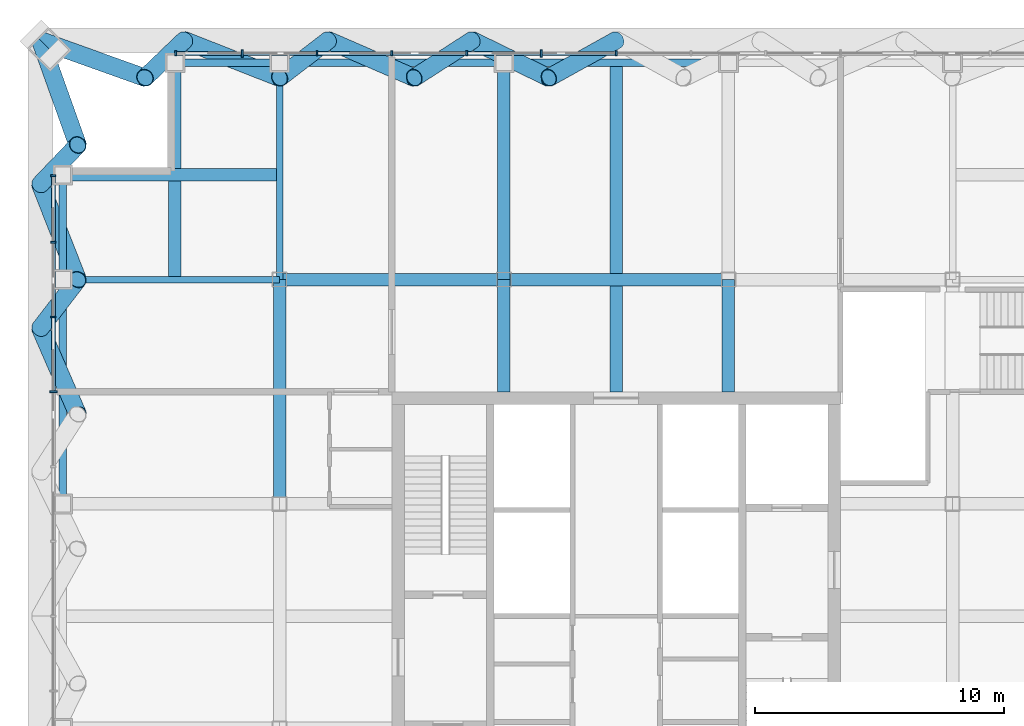
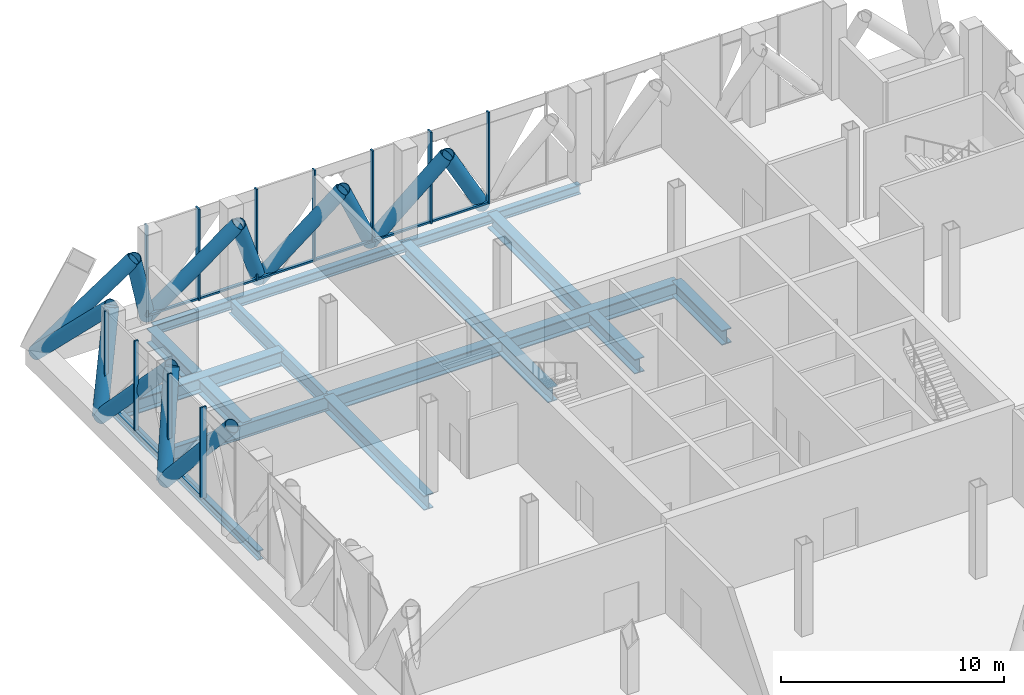
# One storey, part 10 of 27: 33 members, 16 beams, 2 elements without a shape of their own.
"""IFC4 building model written with IfcOpenShell, lengths in metres."""

from ifc_helpers import new_model, si_unit, direction, frame, origin, origin_2d, place, context, subcontext, project, spatial, rectangle, hollow_circle, i_section, extrude, material, layer, layer_set, material_profile, profile_set, type_object, element, aggregate, save


model = new_model("IFC4")

# Units and contexts
model_context = context("Model", 3, precision=1e-05, world=origin(), true_north=direction((0.0, 1.0)))
body_context = subcontext(model_context, "Body", "Model", "MODEL_VIEW")
ifc_project = project(units=[si_unit("LENGTHUNIT", "METRE"), si_unit("AREAUNIT", "SQUARE_METRE"), si_unit("VOLUMEUNIT", "CUBIC_METRE"), si_unit("PLANEANGLEUNIT", "RADIAN"), si_unit("MASSUNIT", "GRAM", prefix="KILO")], contexts=[model_context])

# Site, building, storey
site_placement = place(None, origin())
site = spatial("IfcSite", under=ifc_project, at=site_placement, CompositionType="ELEMENT")
building_placement = place(site_placement, origin())
building = spatial("IfcBuilding", under=site, at=building_placement, Name="Malebo Sky Hospital", CompositionType="ELEMENT")
storey_placement = place(building_placement, frame((0.0, 0.0, 245.0)))
storey = spatial("IfcBuildingStorey", under=building, at=storey_placement, Name="L59", CompositionType="ELEMENT", Elevation=245.0)

# Curtain wall, members
ifc_material_1 = material(Name="Anodised aluminium, natural silver", Category="aluminium")
ifc_layer = layer(ifc_material_1, 0.25)
ifc_layer_set = layer_set([ifc_layer], Name="PLANT LOUVRE SCREEN")
curtain_wall_type = type_object("IfcCurtainWallType", Name="PLANT LOUVRE SCREEN", PredefinedType="NOTDEFINED", material=ifc_layer_set)
curtain_wall_1_placement = place(storey_placement, origin())
curtain_wall_1 = element("IfcCurtainWall", 1, at=curtain_wall_1_placement, inside=storey, type_object=curtain_wall_type, Name="PLANT curtain wall N", PredefinedType="NOTDEFINED")
ifc_material_profile_1 = material_profile(ifc_material_1, rectangle(XDim=0.14990234375, YDim=0.10009765625, at=origin_2d()), Name="ALUMINIUM TRANSOM 150x100")
ifc_profile_set_1 = profile_set([ifc_material_profile_1], Name="Anodised aluminium, natural silver")
member_type_1 = type_object("IfcMemberType", Name="ALUMINIUM TRANSOM 150x100", PredefinedType="USERDEFINED", material=ifc_profile_set_1)
member_1_placement = place(storey_placement, frame((42.375, 84.574951171875, 0.050048828125), z_axis=(1.0, 0.0, 0.0), x_axis=(0.0, 1.0, 0.0)))
member_1 = element("IfcMember", 2, at=member_1_placement, type_object=member_type_1, Name="Transom 1", ObjectType="TRANSOM", PredefinedType="USERDEFINED", context=body_context, shape_type="SweptSolid", body=[
    extrude(rectangle(XDim=0.14990234375, YDim=0.10009765625, at=origin_2d()), origin(), (0.0, 0.0, 1.0), 2.58740234375),
])
member_2_placement = place(storey_placement, frame((45.03759765625, 84.574951171875, 0.050048828125), z_axis=(1.0, 0.0, 0.0), x_axis=(0.0, 1.0, 0.0)))
member_2 = element("IfcMember", 3, at=member_2_placement, type_object=member_type_1, Name="Transom 2", ObjectType="TRANSOM", PredefinedType="USERDEFINED", context=body_context, shape_type="SweptSolid", body=[
    extrude(rectangle(XDim=0.14990234375, YDim=0.10009765625, at=origin_2d()), origin(), (0.0, 0.0, 1.0), 2.9248046875),
])
member_3_placement = place(storey_placement, frame((48.03759765625, 84.574951171875, 0.050048828125), z_axis=(1.0, 0.0, 0.0), x_axis=(0.0, 1.0, 0.0)))
member_3 = element("IfcMember", 4, at=member_3_placement, type_object=member_type_1, Name="Transom 3", ObjectType="TRANSOM", PredefinedType="USERDEFINED", context=body_context, shape_type="SweptSolid", body=[
    extrude(rectangle(XDim=0.14990234375, YDim=0.10009765625, at=origin_2d()), origin(), (0.0, 0.0, 1.0), 2.9248046875),
])
member_4_placement = place(storey_placement, frame((51.03759765625, 84.574951171875, 0.050048828125), z_axis=(1.0, 0.0, 0.0), x_axis=(0.0, 1.0, 0.0)))
member_4 = element("IfcMember", 5, at=member_4_placement, type_object=member_type_1, Name="Transom 4", ObjectType="TRANSOM", PredefinedType="USERDEFINED", context=body_context, shape_type="SweptSolid", body=[
    extrude(rectangle(XDim=0.14990234375, YDim=0.10009765625, at=origin_2d()), origin(), (0.0, 0.0, 1.0), 2.9248046875),
])
member_5_placement = place(storey_placement, frame((54.03759765625, 84.574951171875, 0.050048828125), z_axis=(1.0, 0.0, 0.0), x_axis=(0.0, 1.0, 0.0)))
member_5 = element("IfcMember", 6, at=member_5_placement, type_object=member_type_1, Name="Transom 5", ObjectType="TRANSOM", PredefinedType="USERDEFINED", context=body_context, shape_type="SweptSolid", body=[
    extrude(rectangle(XDim=0.14990234375, YDim=0.10009765625, at=origin_2d()), origin(), (0.0, 0.0, 1.0), 2.9248046875),
])
member_6_placement = place(storey_placement, frame((57.03759765625, 84.574951171875, 0.050048828125), z_axis=(1.0, 0.0, 0.0), x_axis=(0.0, 1.0, 0.0)))
member_6 = element("IfcMember", 7, at=member_6_placement, type_object=member_type_1, Name="Transom 6", ObjectType="TRANSOM", PredefinedType="USERDEFINED", context=body_context, shape_type="SweptSolid", body=[
    extrude(rectangle(XDim=0.14990234375, YDim=0.10009765625, at=origin_2d()), origin(), (0.0, 0.0, 1.0), 2.9248046875),
])

curtain_wall_2_placement = place(storey_placement, origin())
curtain_wall_2 = element("IfcCurtainWall", 8, at=curtain_wall_2_placement, inside=storey, type_object=curtain_wall_type, Name="PLANT curtain wall W", PredefinedType="NOTDEFINED")
member_7_placement = place(storey_placement, frame((37.425048828125, 71.03759765625, 0.050048828125), z_axis=(0.0, 1.0, 0.0), x_axis=(-1.0, 0.0, 0.0)))
member_7 = element("IfcMember", 9, at=member_7_placement, type_object=member_type_1, Name="Transom 10", ObjectType="TRANSOM", PredefinedType="USERDEFINED", context=body_context, shape_type="SweptSolid", body=[
    extrude(rectangle(XDim=0.14990234375, YDim=0.10009765625, at=origin_2d()), origin(), (0.0, 0.0, 1.0), 2.9248046875),
])
member_8_placement = place(storey_placement, frame((37.425048828125, 74.03759765625, 0.050048828125), z_axis=(0.0, 1.0, 0.0), x_axis=(-1.0, 0.0, 0.0)))
member_8 = element("IfcMember", 10, at=member_8_placement, type_object=member_type_1, Name="Transom 11", ObjectType="TRANSOM", PredefinedType="USERDEFINED", context=body_context, shape_type="SweptSolid", body=[
    extrude(rectangle(XDim=0.14990234375, YDim=0.10009765625, at=origin_2d()), origin(), (0.0, 0.0, 1.0), 2.9248046875),
])
member_9_placement = place(storey_placement, frame((37.425048828125, 77.03759765625, 0.050048828125), z_axis=(0.0, 1.0, 0.0), x_axis=(-1.0, 0.0, 0.0)))
member_9 = element("IfcMember", 11, at=member_9_placement, type_object=member_type_1, Name="Transom 12", ObjectType="TRANSOM", PredefinedType="USERDEFINED", context=body_context, shape_type="SweptSolid", body=[
    extrude(rectangle(XDim=0.14990234375, YDim=0.10009765625, at=origin_2d()), origin(), (0.0, 0.0, 1.0), 2.58740234375),
])

# Members
ifc_material_2 = material(Name="Steel S460", Category="steel")
ifc_material_profile_2 = material_profile(ifc_material_2, hollow_circle(Radius=0.35546875, WallThickness=0.02490234375, at=origin_2d()), Name="CHS 711x25")
ifc_profile_set_2 = profile_set([ifc_material_profile_2], Name="Steel S460")
member_type_2 = type_object("IfcMemberType", Name="BELT TRUSS DIAGONAL CHS 711x25", PredefinedType="BRACE", material=ifc_profile_set_2)
member_10_placement = place(storey_placement, frame((60.0, 85.10009765625, -0.39990234375), z_axis=(-0.490977647365, -0.272770292559, 0.827367703797), x_axis=(0.485649642493, -0.87415354758, 0.0)))
element("IfcMember", 12, at=member_10_placement, inside=storey, type_object=member_type_2, Name="Belt truss diagonal N5.1 L59", PredefinedType="BRACE", context=body_context, shape_type="SweptSolid", body=[
    extrude(hollow_circle(Radius=0.35546875, WallThickness=0.02490234375, at=origin_2d()), origin(), (0.0, 0.0, 1.0), 5.4990234375),
])
member_11_placement = place(storey_placement, frame((57.300048828125, 83.60009765625, 4.14990234375), z_axis=(-0.540163447452, 0.263498548721, -0.799244621414), x_axis=(-0.438429255686, -0.898765702371, 0.0)))
element("IfcMember", 13, at=member_11_placement, inside=storey, type_object=member_type_2, Name="Belt truss diagonal N5.2 L59", PredefinedType="BRACE", context=body_context, shape_type="SweptSolid", body=[
    extrude(hollow_circle(Radius=0.35546875, WallThickness=0.02490234375, at=origin_2d()), origin(), (0.0, 0.0, 1.0), 5.692626953125),
])
member_12_placement = place(storey_placement, frame((54.22509765625, 85.10009765625, -0.39990234375), z_axis=(-0.436643839632, -0.281682040183, 0.854398844539), x_axis=(0.542094714499, -0.840317392723, 0.0)))
element("IfcMember", 14, at=member_12_placement, inside=storey, type_object=member_type_2, Name="Belt truss diagonal N6.1 L59", PredefinedType="BRACE", context=body_context, shape_type="SweptSolid", body=[
    extrude(hollow_circle(Radius=0.35546875, WallThickness=0.02490234375, at=origin_2d()), origin(), (0.0, 0.0, 1.0), 5.3251953125),
])
member_13_placement = place(storey_placement, frame((51.89990234375, 83.60009765625, 4.14990234375), z_axis=(-0.584377622099, 0.254080823026, -0.770678746405), x_axis=(-0.398730857498, -0.917067992724, 0.0)))
element("IfcMember", 15, at=member_13_placement, inside=storey, type_object=member_type_2, Name="Belt truss diagonal N6.2 L59", PredefinedType="BRACE", context=body_context, shape_type="SweptSolid", body=[
    extrude(hollow_circle(Radius=0.35546875, WallThickness=0.02490234375, at=origin_2d()), origin(), (0.0, 0.0, 1.0), 5.903564453125),
])
member_14_placement = place(storey_placement, frame((48.449951171875, 85.10009765625, -0.39990234375), z_axis=(-0.376996423186, -0.290004510336, 0.879642587015), x_axis=(0.609720352615, -0.792616610731, 0.0)))
element("IfcMember", 16, at=member_14_placement, inside=storey, type_object=member_type_2, Name="Belt truss diagonal N7.1 L59", PredefinedType="BRACE", context=body_context, shape_type="SweptSolid", body=[
    extrude(hollow_circle(Radius=0.35546875, WallThickness=0.02490234375, at=origin_2d()), origin(), (0.0, 0.0, 1.0), 5.17236328125),
])
member_15_placement = place(storey_placement, frame((46.5, 83.60009765625, 4.14990234375), z_axis=(-0.623938635295, 0.244684941294, -0.742179128573), x_axis=(-0.365091568196, -0.930971614408, 0.0)))
element("IfcMember", 17, at=member_15_placement, inside=storey, type_object=member_type_2, Name="Belt truss diagonal N7.2 L59", PredefinedType="BRACE", context=body_context, shape_type="SweptSolid", body=[
    extrude(hollow_circle(Radius=0.35546875, WallThickness=0.02490234375, at=origin_2d()), origin(), (0.0, 0.0, 1.0), 6.13037109375),
])
member_16_placement = place(storey_placement, frame((42.675048828125, 85.10009765625, -0.39990234375), z_axis=(-0.312308438875, -0.297445829863, 0.90221362066), x_axis=(0.689666384023, -0.724127253146, 0.0)))
element("IfcMember", 18, at=member_16_placement, inside=storey, type_object=member_type_2, Name="Belt truss diagonal N8.1 L59", PredefinedType="BRACE", context=body_context, shape_type="SweptSolid", body=[
    extrude(hollow_circle(Radius=0.35546875, WallThickness=0.02490234375, at=origin_2d()), origin(), (0.0, 0.0, 1.0), 5.04296875),
])
for number, where, z_axis, x_axis, name in (
    (19, (41.10009765625, 83.60009765625, 4.14990234375), (-0.659245717391, 0.235433950689, -0.714118994961), (-0.336322526194, -0.941746865338, 0.0), "Belt truss diagonal N8.2 L59"),
    (20, (36.89990234375, 85.10009765625, -0.39990234375), (0.235433950689, -0.659245717391, 0.714118994961), (0.941746865338, 0.336322526194, 0.0), "Belt truss diagonal W1.1 L59"),
):
    element("IfcMember", number, at=place(storey_placement, frame(where, z_axis=z_axis, x_axis=x_axis)), inside=storey, type_object=member_type_2, Name=name, PredefinedType="BRACE", context=body_context, shape_type="SweptSolid", body=[
        extrude(hollow_circle(Radius=0.35546875, WallThickness=0.02490234375, at=origin_2d()), origin(), (0.0, 0.0, 1.0), 6.37109375),
    ])
member_17_placement = place(storey_placement, frame((38.39990234375, 80.89990234375, 4.14990234375), z_axis=(-0.297445829863, -0.312308438875, -0.90221362066), x_axis=(0.724127253146, -0.689666384023, 0.0)))
element("IfcMember", 21, at=member_17_placement, inside=storey, type_object=member_type_2, Name="Belt truss diagonal W1.2 L59", PredefinedType="BRACE", context=body_context, shape_type="SweptSolid", body=[
    extrude(hollow_circle(Radius=0.35546875, WallThickness=0.02490234375, at=origin_2d()), origin(), (0.0, 0.0, 1.0), 5.04296875),
])
member_18_placement = place(storey_placement, frame((36.89990234375, 79.324951171875, -0.39990234375), z_axis=(0.244684941294, -0.623938635295, 0.742179128573), x_axis=(0.930971614408, 0.365091568196, 0.0)))
element("IfcMember", 22, at=member_18_placement, inside=storey, type_object=member_type_2, Name="Belt truss diagonal W2.1 L59", PredefinedType="BRACE", context=body_context, shape_type="SweptSolid", body=[
    extrude(hollow_circle(Radius=0.35546875, WallThickness=0.02490234375, at=origin_2d()), origin(), (0.0, 0.0, 1.0), 6.13037109375),
])
member_19_placement = place(storey_placement, frame((38.39990234375, 75.5, 4.14990234375), z_axis=(-0.290004510336, -0.376996423186, -0.879642587015), x_axis=(0.792616610731, -0.609720352615, 0.0)))
element("IfcMember", 23, at=member_19_placement, inside=storey, type_object=member_type_2, Name="Belt truss diagonal W2.2 L59", PredefinedType="BRACE", context=body_context, shape_type="SweptSolid", body=[
    extrude(hollow_circle(Radius=0.35546875, WallThickness=0.02490234375, at=origin_2d()), origin(), (0.0, 0.0, 1.0), 5.17236328125),
])
member_20_placement = place(storey_placement, frame((36.89990234375, 73.550048828125, -0.39990234375), z_axis=(0.254080823026, -0.584377622099, 0.770678746405), x_axis=(0.917067992724, 0.398730857498, 0.0)))
element("IfcMember", 24, at=member_20_placement, inside=storey, type_object=member_type_2, Name="Belt truss diagonal W3.1 L59", PredefinedType="BRACE", context=body_context, shape_type="SweptSolid", body=[
    extrude(hollow_circle(Radius=0.35546875, WallThickness=0.02490234375, at=origin_2d()), origin(), (0.0, 0.0, 1.0), 5.903564453125),
])

# Member
ifc_material_profile_3 = material_profile(ifc_material_1, rectangle(XDim=0.074951171875, YDim=0.199951171875, at=origin_2d()), Name="CW5 ALUMINIUM FIN MULLION 75x200")
ifc_profile_set_3 = profile_set([ifc_material_profile_3], Name="Anodised aluminium, natural silver")
member_type_3 = type_object("IfcMemberType", Name="CW5 ALUMINIUM FIN MULLION 75x200", PredefinedType="MULLION", material=ifc_profile_set_3)
member_21_placement = place(storey_placement, frame((42.33740234375, 84.574951171875, 0.0), z_axis=(0.0, 0.0, 1.0), x_axis=(1.0, 0.0, 0.0)))
member_21 = element("IfcMember", 25, at=member_21_placement, type_object=member_type_3, Name="Fin mullion 1", PredefinedType="MULLION", context=body_context, shape_type="SweptSolid", body=[
    extrude(rectangle(XDim=0.074951171875, YDim=0.199951171875, at=origin_2d()), origin(), (0.0, 0.0, 1.0), 5.0),
])

member_22_placement = place(storey_placement, frame((48.0, 84.574951171875, 0.0), z_axis=(0.0, 0.0, 1.0), x_axis=(1.0, 0.0, 0.0)))
member_22 = element("IfcMember", 26, at=member_22_placement, type_object=member_type_3, Name="Fin mullion 3", PredefinedType="MULLION", context=body_context, shape_type="SweptSolid", body=[
    extrude(rectangle(XDim=0.074951171875, YDim=0.199951171875, at=origin_2d()), origin(), (0.0, 0.0, 1.0), 5.0),
])

member_23_placement = place(storey_placement, frame((51.0, 84.574951171875, 0.0), z_axis=(0.0, 0.0, 1.0), x_axis=(1.0, 0.0, 0.0)))
member_23 = element("IfcMember", 27, at=member_23_placement, type_object=member_type_3, Name="Fin mullion 4", PredefinedType="MULLION", context=body_context, shape_type="SweptSolid", body=[
    extrude(rectangle(XDim=0.074951171875, YDim=0.199951171875, at=origin_2d()), origin(), (0.0, 0.0, 1.0), 5.0),
])

member_24_placement = place(storey_placement, frame((54.0, 84.574951171875, 0.0), z_axis=(0.0, 0.0, 1.0), x_axis=(1.0, 0.0, 0.0)))
member_24 = element("IfcMember", 28, at=member_24_placement, type_object=member_type_3, Name="Fin mullion 5", PredefinedType="MULLION", context=body_context, shape_type="SweptSolid", body=[
    extrude(rectangle(XDim=0.074951171875, YDim=0.199951171875, at=origin_2d()), origin(), (0.0, 0.0, 1.0), 5.0),
])

member_25_placement = place(storey_placement, frame((60.0, 84.574951171875, 0.0), z_axis=(0.0, 0.0, 1.0), x_axis=(1.0, 0.0, 0.0)))
member_25 = element("IfcMember", 29, at=member_25_placement, type_object=member_type_3, Name="Fin mullion 7", PredefinedType="MULLION", context=body_context, shape_type="SweptSolid", body=[
    extrude(rectangle(XDim=0.074951171875, YDim=0.199951171875, at=origin_2d()), origin(), (0.0, 0.0, 1.0), 5.0),
])

member_26_placement = place(storey_placement, frame((37.425048828125, 74.0, 0.0), z_axis=(0.0, 0.0, 1.0), x_axis=(0.0, 1.0, 0.0)))
member_26 = element("IfcMember", 30, at=member_26_placement, type_object=member_type_3, Name="Fin mullion 11", PredefinedType="MULLION", context=body_context, shape_type="SweptSolid", body=[
    extrude(rectangle(XDim=0.074951171875, YDim=0.199951171875, at=origin_2d()), origin(), (0.0, 0.0, 1.0), 5.0),
])

member_27_placement = place(storey_placement, frame((37.425048828125, 77.0, 0.0), z_axis=(0.0, 0.0, 1.0), x_axis=(0.0, 1.0, 0.0)))
member_27 = element("IfcMember", 31, at=member_27_placement, type_object=member_type_3, Name="Fin mullion 12", PredefinedType="MULLION", context=body_context, shape_type="SweptSolid", body=[
    extrude(rectangle(XDim=0.074951171875, YDim=0.199951171875, at=origin_2d()), origin(), (0.0, 0.0, 1.0), 5.0),
])

member_28_placement = place(storey_placement, frame((37.425048828125, 79.66259765625, 0.0), z_axis=(0.0, 0.0, 1.0), x_axis=(0.0, 1.0, 0.0)))
member_28 = element("IfcMember", 32, at=member_28_placement, type_object=member_type_3, Name="Fin mullion 13", PredefinedType="MULLION", context=body_context, shape_type="SweptSolid", body=[
    extrude(rectangle(XDim=0.074951171875, YDim=0.199951171875, at=origin_2d()), origin(), (0.0, 0.0, 1.0), 5.0),
])

ifc_material_profile_4 = material_profile(ifc_material_1, rectangle(XDim=0.074951171875, YDim=0.300048828125, at=origin_2d()), Name="CW5 ALUMINIUM FIN MULLION 75x300")
ifc_profile_set_4 = profile_set([ifc_material_profile_4], Name="Anodised aluminium, natural silver")
member_type_4 = type_object("IfcMemberType", Name="CW5 ALUMINIUM FIN MULLION 75x300", PredefinedType="MULLION", material=ifc_profile_set_4)
member_29_placement = place(storey_placement, frame((45.0, 84.574951171875, 0.0), z_axis=(0.0, 0.0, 1.0), x_axis=(1.0, 0.0, 0.0)))
member_29 = element("IfcMember", 33, at=member_29_placement, type_object=member_type_4, Name="Fin mullion 2", PredefinedType="MULLION", context=body_context, shape_type="SweptSolid", body=[
    extrude(rectangle(XDim=0.074951171875, YDim=0.300048828125, at=origin_2d()), origin(), (0.0, 0.0, 1.0), 5.0),
])

member_30_placement = place(storey_placement, frame((57.0, 84.574951171875, 0.0), z_axis=(0.0, 0.0, 1.0), x_axis=(1.0, 0.0, 0.0)))
member_30 = element("IfcMember", 34, at=member_30_placement, type_object=member_type_4, Name="Fin mullion 6", PredefinedType="MULLION", context=body_context, shape_type="SweptSolid", body=[
    extrude(rectangle(XDim=0.074951171875, YDim=0.300048828125, at=origin_2d()), origin(), (0.0, 0.0, 1.0), 5.0),
])

aggregate(curtain_wall_1, [member_21, member_29, member_22, member_23, member_24, member_30, member_25, member_1, member_2, member_3, member_4, member_5, member_6])

member_31_placement = place(storey_placement, frame((37.425048828125, 71.0, 0.0), z_axis=(0.0, 0.0, 1.0), x_axis=(0.0, 1.0, 0.0)))
member_31 = element("IfcMember", 35, at=member_31_placement, type_object=member_type_4, Name="Fin mullion 10", PredefinedType="MULLION", context=body_context, shape_type="SweptSolid", body=[
    extrude(rectangle(XDim=0.074951171875, YDim=0.300048828125, at=origin_2d()), origin(), (0.0, 0.0, 1.0), 5.0),
])

aggregate(curtain_wall_2, [member_31, member_26, member_27, member_28, member_7, member_8, member_9])

# Beams
ifc_material_3 = material(Name="Steel S355", Category="steel")
ifc_material_profile_5 = material_profile(ifc_material_3, i_section(OverallWidth=0.305908203125, OverallDepth=0.52392578125, WebThickness=0.02099609375, FlangeThickness=0.0400390625, FilletRadius=0.027099609375, at=origin_2d()), Name="HEM 500")
ifc_profile_set_5 = profile_set([ifc_material_profile_5], Name="Steel S355")
beam_type_1 = type_object("IfcBeamType", Name="EDGE BEAM HEM 500", PredefinedType="BEAM", material=ifc_profile_set_5)
beam_1_placement = place(storey_placement, frame((37.800048828125, 66.5, -0.511962890625), z_axis=(0.0, 1.0, 0.0), x_axis=(-1.0, 0.0, 0.0)))
element("IfcBeam", 36, at=beam_1_placement, inside=storey, type_object=beam_type_1, Name="Beam 003 L59", PredefinedType="BEAM", context=body_context, shape_type="SweptSolid", body=[
    extrude(i_section(OverallWidth=0.305908203125, OverallDepth=0.52392578125, WebThickness=0.02099609375, FlangeThickness=0.0400390625, FilletRadius=0.027099609375, at=origin_2d()), origin(), (0.0, 0.0, 1.0), 9.0),
])
for number, where, z_axis, x_axis, name in (
    (37, (37.800048828125, 75.5, -0.511962890625), (0.0, 1.0, 0.0), (-1.0, 0.0, 0.0), "Beam 004 L59"),
    (38, (42.449951171875, 84.199951171875, -0.511962890625), (1.0, 0.0, 0.0), (0.0, 1.0, 0.0), "Beam 063 L59"),
):
    element("IfcBeam", number, at=place(storey_placement, frame(where, z_axis=z_axis, x_axis=x_axis)), inside=storey, type_object=beam_type_1, Name=name, PredefinedType="BEAM", context=body_context, shape_type="SweptSolid", body=[
        extrude(i_section(OverallWidth=0.305908203125, OverallDepth=0.52392578125, WebThickness=0.02099609375, FlangeThickness=0.0400390625, FilletRadius=0.027099609375, at=origin_2d()), origin(), (0.0, 0.0, 1.0), 4.050048828125),
    ])
for number, where, z_axis, x_axis, name in (
    (39, (46.5, 84.199951171875, -0.511962890625), (1.0, 0.0, 0.0), (0.0, 1.0, 0.0), "Beam 064 L59"),
    (40, (55.5, 84.199951171875, -0.511962890625), (1.0, 0.0, 0.0), (0.0, 1.0, 0.0), "Beam 065 L59"),
):
    element("IfcBeam", number, at=place(storey_placement, frame(where, z_axis=z_axis, x_axis=x_axis)), inside=storey, type_object=beam_type_1, Name=name, PredefinedType="BEAM", context=body_context, shape_type="SweptSolid", body=[
        extrude(i_section(OverallWidth=0.305908203125, OverallDepth=0.52392578125, WebThickness=0.02099609375, FlangeThickness=0.0400390625, FilletRadius=0.027099609375, at=origin_2d()), origin(), (0.0, 0.0, 1.0), 9.0),
    ])
ifc_material_profile_6 = material_profile(ifc_material_3, i_section(OverallWidth=0.5, OverallDepth=0.800048828125, WebThickness=0.030029296875, FlangeThickness=0.050048828125, at=origin_2d()), Name="PG 800x500x30x50")
ifc_profile_set_6 = profile_set([ifc_material_profile_6], Name="Steel S355")
beam_type_2 = type_object("IfcBeamType", Name="FLOOR BEAM PG 800x500x30x50", PredefinedType="BEAM", material=ifc_profile_set_6)
beam_2_placement = place(storey_placement, frame((42.300048828125, 75.5, -0.64990234375), z_axis=(0.0, 1.0, 0.0), x_axis=(-1.0, 0.0, 0.0)))
element("IfcBeam", 41, at=beam_2_placement, inside=storey, type_object=beam_type_2, Name="Beam 006 L59", PredefinedType="BEAM", context=body_context, shape_type="SweptSolid", body=[
    extrude(i_section(OverallWidth=0.5, OverallDepth=0.800048828125, WebThickness=0.030029296875, FlangeThickness=0.050048828125, at=origin_2d()), origin(), (0.0, 0.0, 1.0), 8.550048828125),
])
beam_3_placement = place(storey_placement, frame((46.5, 66.5, -0.64990234375), z_axis=(0.0, 1.0, 0.0), x_axis=(-1.0, 0.0, 0.0)))
element("IfcBeam", 42, at=beam_3_placement, inside=storey, type_object=beam_type_2, Name="Beam 010 L59", PredefinedType="BEAM", context=body_context, shape_type="SweptSolid", body=[
    extrude(i_section(OverallWidth=0.5, OverallDepth=0.800048828125, WebThickness=0.030029296875, FlangeThickness=0.050048828125, at=origin_2d()), origin(), (0.0, 0.0, 1.0), 9.0),
])
beam_4_placement = place(storey_placement, frame((55.5, 71.0, -0.64990234375), z_axis=(0.0, 1.0, 0.0), x_axis=(-1.0, 0.0, 0.0)))
element("IfcBeam", 43, at=beam_4_placement, inside=storey, type_object=beam_type_2, Name="Beam 014 L59", PredefinedType="BEAM", context=body_context, shape_type="SweptSolid", body=[
    extrude(i_section(OverallWidth=0.5, OverallDepth=0.800048828125, WebThickness=0.030029296875, FlangeThickness=0.050048828125, at=origin_2d()), origin(), (0.0, 0.0, 1.0), 4.5),
])
beam_5_placement = place(storey_placement, frame((55.5, 75.5, -0.64990234375), z_axis=(0.0, 1.0, 0.0), x_axis=(-1.0, 0.0, 0.0)))
element("IfcBeam", 44, at=beam_5_placement, inside=storey, type_object=beam_type_2, Name="Beam 015 L59", PredefinedType="BEAM", context=body_context, shape_type="SweptSolid", body=[
    extrude(i_section(OverallWidth=0.5, OverallDepth=0.800048828125, WebThickness=0.030029296875, FlangeThickness=0.050048828125, at=origin_2d()), origin(), (0.0, 0.0, 1.0), 8.699951171875),
])
beam_6_placement = place(storey_placement, frame((60.0, 71.0, -0.64990234375), z_axis=(0.0, 1.0, 0.0), x_axis=(-1.0, 0.0, 0.0)))
element("IfcBeam", 45, at=beam_6_placement, inside=storey, type_object=beam_type_2, Name="Beam 017 L59", PredefinedType="BEAM", context=body_context, shape_type="SweptSolid", body=[
    extrude(i_section(OverallWidth=0.5, OverallDepth=0.800048828125, WebThickness=0.030029296875, FlangeThickness=0.050048828125, at=origin_2d()), origin(), (0.0, 0.0, 1.0), 13.199951171875),
])
beam_7_placement = place(storey_placement, frame((64.5, 71.0, -0.64990234375), z_axis=(0.0, 1.0, 0.0), x_axis=(-1.0, 0.0, 0.0)))
element("IfcBeam", 46, at=beam_7_placement, inside=storey, type_object=beam_type_2, Name="Beam 020 L59", PredefinedType="BEAM", context=body_context, shape_type="SweptSolid", body=[
    extrude(i_section(OverallWidth=0.5, OverallDepth=0.800048828125, WebThickness=0.030029296875, FlangeThickness=0.050048828125, at=origin_2d()), origin(), (0.0, 0.0, 1.0), 4.5),
])
beam_8_placement = place(storey_placement, frame((46.5, 75.5, -0.64990234375), z_axis=(1.0, 0.0, 0.0), x_axis=(0.0, 1.0, 0.0)))
element("IfcBeam", 47, at=beam_8_placement, inside=storey, type_object=beam_type_2, Name="Beam 057 L59", PredefinedType="BEAM", context=body_context, shape_type="SweptSolid", body=[
    extrude(i_section(OverallWidth=0.5, OverallDepth=0.800048828125, WebThickness=0.030029296875, FlangeThickness=0.050048828125, at=origin_2d()), origin(), (0.0, 0.0, 1.0), 9.0),
])
beam_9_placement = place(storey_placement, frame((37.949951171875, 79.699951171875, -0.64990234375), z_axis=(1.0, 0.0, 0.0), x_axis=(0.0, 1.0, 0.0)))
element("IfcBeam", 48, at=beam_9_placement, inside=storey, type_object=beam_type_2, Name="Beam 061 L59", PredefinedType="BEAM", context=body_context, shape_type="SweptSolid", body=[
    extrude(i_section(OverallWidth=0.5, OverallDepth=0.800048828125, WebThickness=0.030029296875, FlangeThickness=0.050048828125, at=origin_2d()), origin(), (0.0, 0.0, 1.0), 8.550048828125),
])
ifc_material_profile_7 = material_profile(ifc_material_3, i_section(OverallWidth=0.26708984375, OverallDepth=0.761962890625, WebThickness=0.014404296875, FlangeThickness=0.021484375, FilletRadius=0.01708984375, at=origin_2d()), Name="IPE 750x173")
ifc_profile_set_7 = profile_set([ifc_material_profile_7], Name="Steel S355")
beam_type_3 = type_object("IfcBeamType", Name="FLOOR GIRDER IPE 750x173", PredefinedType="BEAM", material=ifc_profile_set_7)
for number, where, z_axis, x_axis, name in (
    (49, (46.5, 75.5, -0.631103515625), (0.0, 1.0, 0.0), (-1.0, 0.0, 0.0), "Beam 011 L59"),
    (50, (37.800048828125, 75.5, -0.631103515625), (1.0, 0.0, 0.0), (0.0, 1.0, 0.0), "Beam 056 L59"),
):
    element("IfcBeam", number, at=place(storey_placement, frame(where, z_axis=z_axis, x_axis=x_axis)), inside=storey, type_object=beam_type_3, Name=name, PredefinedType="BEAM", context=body_context, shape_type="SweptSolid", body=[
        extrude(i_section(OverallWidth=0.26708984375, OverallDepth=0.761962890625, WebThickness=0.014404296875, FlangeThickness=0.021484375, FilletRadius=0.01708984375, at=origin_2d()), origin(), (0.0, 0.0, 1.0), 8.699951171875),
    ])
ifc_material_profile_8 = material_profile(ifc_material_3, i_section(OverallWidth=0.5, OverallDepth=0.800048828125, WebThickness=0.030029296875, FlangeThickness=0.050048828125, at=origin_2d()), Name="PG 800x500x30x50")
ifc_profile_set_8 = profile_set([ifc_material_profile_8], Name="Steel S355")
beam_type_4 = type_object("IfcBeamType", Name="RING GIRDER PG 800x500x30x50", PredefinedType="BEAM", material=ifc_profile_set_8)
beam_10_placement = place(storey_placement, frame((55.5, 75.5, -0.64990234375), z_axis=(1.0, 0.0, 0.0), x_axis=(0.0, 1.0, 0.0)))
element("IfcBeam", 51, at=beam_10_placement, inside=storey, type_object=beam_type_4, Name="Beam 058 L59", PredefinedType="BEAM", context=body_context, shape_type="SweptSolid", body=[
    extrude(i_section(OverallWidth=0.5, OverallDepth=0.800048828125, WebThickness=0.030029296875, FlangeThickness=0.050048828125, at=origin_2d()), origin(), (0.0, 0.0, 1.0), 9.0),
])

save(model, "model.ifc")
